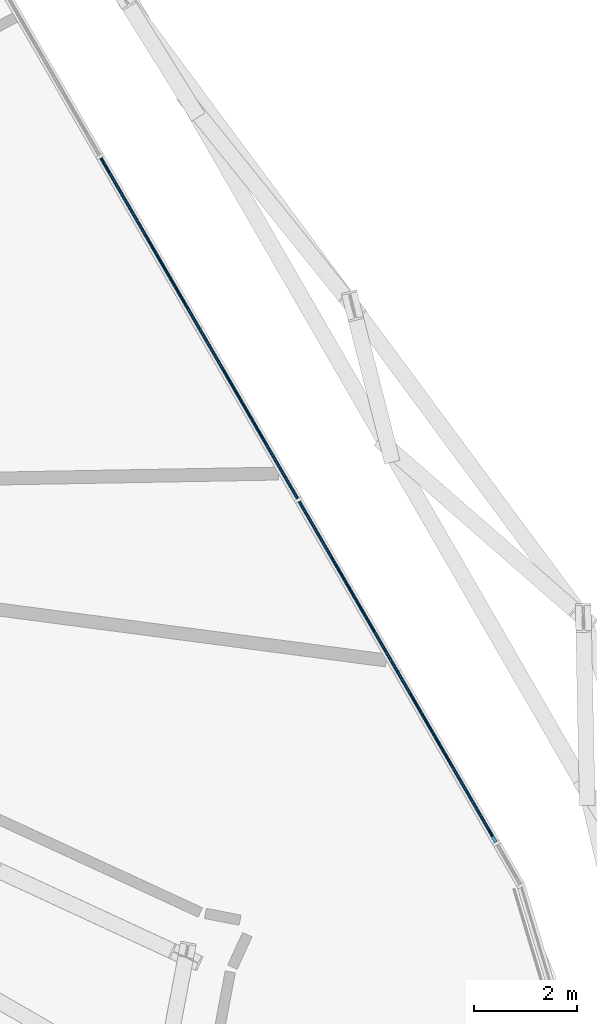
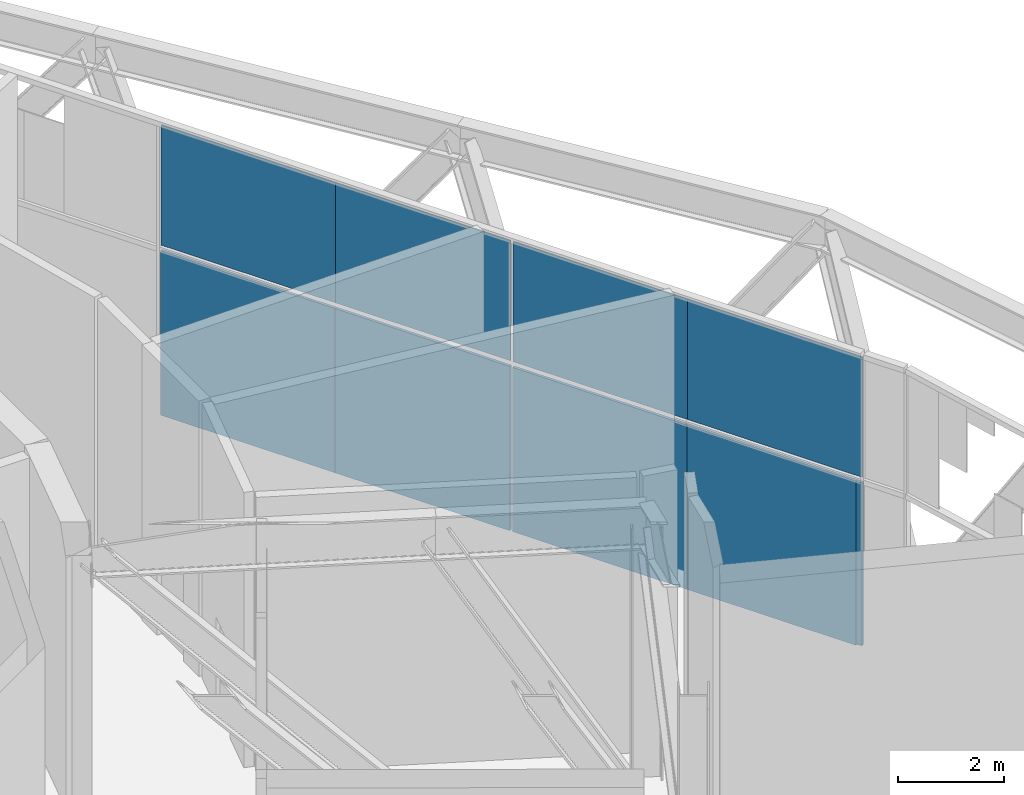
# One storey, part 17 of 29: 9 plates, 1 element without a shape of its own.
"""IFC4 building model written with IfcOpenShell, lengths in metres."""

from ifc_helpers import new_model, si_unit, direction, frame, origin, origin_2d, place, context, subcontext, project, spatial, rectangle, extrude, material, layer, layer_set, type_object, element, aggregate, save


model = new_model("IFC4")

# Units and contexts
model_context = context("Model", 3, precision=1e-05, world=origin(), true_north=direction((0.0, 1.0)))
body_context = subcontext(model_context, "Body", "Model", "MODEL_VIEW")
ifc_project = project(units=[si_unit("LENGTHUNIT", "METRE"), si_unit("AREAUNIT", "SQUARE_METRE"), si_unit("VOLUMEUNIT", "CUBIC_METRE"), si_unit("PLANEANGLEUNIT", "RADIAN"), si_unit("MASSUNIT", "GRAM", prefix="KILO")], contexts=[model_context])

# Site, building, storey
site_placement = place(None, origin())
site = spatial("IfcSite", under=ifc_project, at=site_placement, CompositionType="ELEMENT")
building_placement = place(site_placement, origin())
building = spatial("IfcBuilding", under=site, at=building_placement, Name="Spindle Arch Residences", CompositionType="ELEMENT")
storey_placement = place(building_placement, frame((0.0, 0.0, 69.89990234375)))
storey = spatial("IfcBuildingStorey", under=building, at=storey_placement, Name="L16", CompositionType="ELEMENT", Elevation=69.89990234375)

# Curtain wall, plates
ifc_material_1 = material(Name="Aluminium bronze unitised frame with tinted glass", Category="aluminium")
ifc_layer_1 = layer(ifc_material_1, 0.159912109375)
ifc_layer_set_1 = layer_set([ifc_layer_1], Name="CW-E double-height winter garden wall")
curtain_wall_type = type_object("IfcCurtainWallType", Name="CW-E double-height winter garden wall", PredefinedType="NOTDEFINED", material=ifc_layer_set_1)
curtain_wall_placement = place(storey_placement, origin())
curtain_wall = element("IfcCurtainWall", 1, at=curtain_wall_placement, inside=storey, type_object=curtain_wall_type, Name="CW-E L16 run 2", PredefinedType="NOTDEFINED")
ifc_material_2 = material(Name="Tinted laminated glass 28 mm", Category="glass")
ifc_layer_2 = layer(ifc_material_2, 0.028076171875)
ifc_layer_set_2 = layer_set([ifc_layer_2], Name="Tinted glass panel 28 mm")
plate_type_1 = type_object("IfcPlateType", Name="Tinted glass panel 28 mm", PredefinedType="CURTAIN_PANEL", material=ifc_layer_set_2)
plate_1_placement = place(storey_placement, frame((25.701904296875, -5.09716796875, 3.460205078125), z_axis=(0.0, 0.0, 1.0), x_axis=(-0.5, 0.866025403784, 0.0)))
plate_1 = element("IfcPlate", 2, at=plate_1_placement, type_object=plate_type_1, Name="CW-E unit 05Ab", PredefinedType="CURTAIN_PANEL", context=body_context, shape_type="SweptSolid", body=[
    extrude(rectangle(XDim=3.81005859375, YDim=0.028076171875, at=origin_2d()), origin(), (0.0, 0.0, 1.0), 2.77001953125),
])
plate_2_placement = place(storey_placement, frame((23.796875, -1.797607421875, 3.460205078125), z_axis=(0.0, 0.0, 1.0), x_axis=(-0.5, 0.866025403784, 0.0)))
plate_2 = element("IfcPlate", 3, at=plate_2_placement, type_object=plate_type_1, Name="CW-E unit 05Bb", PredefinedType="CURTAIN_PANEL", context=body_context, shape_type="SweptSolid", body=[
    extrude(rectangle(XDim=3.81005859375, YDim=0.028076171875, at=origin_2d()), origin(), (0.0, 0.0, 1.0), 2.77001953125),
])
plate_3_placement = place(storey_placement, frame((21.86181640625, 1.553955078125, 3.460205078125), z_axis=(0.0, 0.0, 1.0), x_axis=(-0.5, 0.866025403784, 0.0)))
plate_3 = element("IfcPlate", 4, at=plate_3_placement, type_object=plate_type_1, Name="CW-E unit 06Ab", PredefinedType="CURTAIN_PANEL", context=body_context, shape_type="SweptSolid", body=[
    extrude(rectangle(XDim=3.81005859375, YDim=0.028076171875, at=origin_2d()), origin(), (0.0, 0.0, 1.0), 2.77001953125),
])
plate_4_placement = place(storey_placement, frame((19.956787109375, 4.853515625, 3.460205078125), z_axis=(0.0, 0.0, 1.0), x_axis=(-0.5, 0.866025403784, 0.0)))
plate_4 = element("IfcPlate", 5, at=plate_4_placement, type_object=plate_type_1, Name="CW-E unit 06Bb", PredefinedType="CURTAIN_PANEL", context=body_context, shape_type="SweptSolid", body=[
    extrude(rectangle(XDim=3.81005859375, YDim=0.028076171875, at=origin_2d()), origin(), (0.0, 0.0, 1.0), 2.77001953125),
])
ifc_material_3 = material(Name="Tinted double glazing over aluminium faced non-combustible spandrel zone (K0)", Category="aluminium")
ifc_layer_3 = layer(ifc_material_3, 0.06005859375)
ifc_layer_set_3 = layer_set([ifc_layer_3], Name="Unitised glass panel with E 60 spandrel zone")
plate_type_2 = type_object("IfcPlateType", Name="Unitised glass panel with E 60 spandrel zone", PredefinedType="CURTAIN_PANEL", material=ifc_layer_set_3)
plate_5_placement = place(storey_placement, frame((26.622314453125, -6.69140625, -0.42138671875), z_axis=(0.0, 0.0, 1.0), x_axis=(-0.5, 0.866025403784, 0.0)))
plate_5 = element("IfcPlate", 6, at=plate_5_placement, type_object=plate_type_2, Name="CW-E panel 05Aa.1", PredefinedType="CURTAIN_PANEL", context=body_context, shape_type="SweptSolid", body=[
    extrude(rectangle(XDim=0.128173828125, YDim=0.06005859375, at=origin_2d()), origin(), (0.0, 0.0, 1.0), 3.761474609375),
])
plate_6_placement = place(storey_placement, frame((25.669921875, -5.041748046875, -0.449951171875), z_axis=(0.0, 0.0, 1.0), x_axis=(-0.5, 0.866025403784, 0.0)))
plate_6 = element("IfcPlate", 7, at=plate_6_placement, type_object=plate_type_2, Name="CW-E panel 05Aa.2", PredefinedType="CURTAIN_PANEL", context=body_context, shape_type="SweptSolid", body=[
    extrude(rectangle(XDim=3.681884765625, YDim=0.06005859375, at=origin_2d()), origin(), (0.0, 0.0, 1.0), 3.7900390625),
])
plate_7_placement = place(storey_placement, frame((23.796875, -1.797607421875, -0.449951171875), z_axis=(0.0, 0.0, 1.0), x_axis=(-0.5, 0.866025403784, 0.0)))
plate_7 = element("IfcPlate", 8, at=plate_7_placement, type_object=plate_type_2, Name="CW-E unit 05Ba", PredefinedType="CURTAIN_PANEL", context=body_context, shape_type="SweptSolid", body=[
    extrude(rectangle(XDim=3.81005859375, YDim=0.06005859375, at=origin_2d()), origin(), (0.0, 0.0, 1.0), 3.7900390625),
])
plate_8_placement = place(storey_placement, frame((21.86181640625, 1.553955078125, -0.449951171875), z_axis=(0.0, 0.0, 1.0), x_axis=(-0.5, 0.866025403784, 0.0)))
plate_8 = element("IfcPlate", 9, at=plate_8_placement, type_object=plate_type_2, Name="CW-E unit 06Aa", PredefinedType="CURTAIN_PANEL", context=body_context, shape_type="SweptSolid", body=[
    extrude(rectangle(XDim=3.81005859375, YDim=0.06005859375, at=origin_2d()), origin(), (0.0, 0.0, 1.0), 3.7900390625),
])
plate_9_placement = place(storey_placement, frame((19.956787109375, 4.853515625, -0.449951171875), z_axis=(0.0, 0.0, 1.0), x_axis=(-0.5, 0.866025403784, 0.0)))
plate_9 = element("IfcPlate", 10, at=plate_9_placement, type_object=plate_type_2, Name="CW-E unit 06Ba", PredefinedType="CURTAIN_PANEL", context=body_context, shape_type="SweptSolid", body=[
    extrude(rectangle(XDim=3.81005859375, YDim=0.06005859375, at=origin_2d()), origin(), (0.0, 0.0, 1.0), 3.7900390625),
])
aggregate(curtain_wall, [plate_5, plate_6, plate_1, plate_7, plate_2, plate_8, plate_3, plate_9, plate_4])

save(model, "model.ifc")
